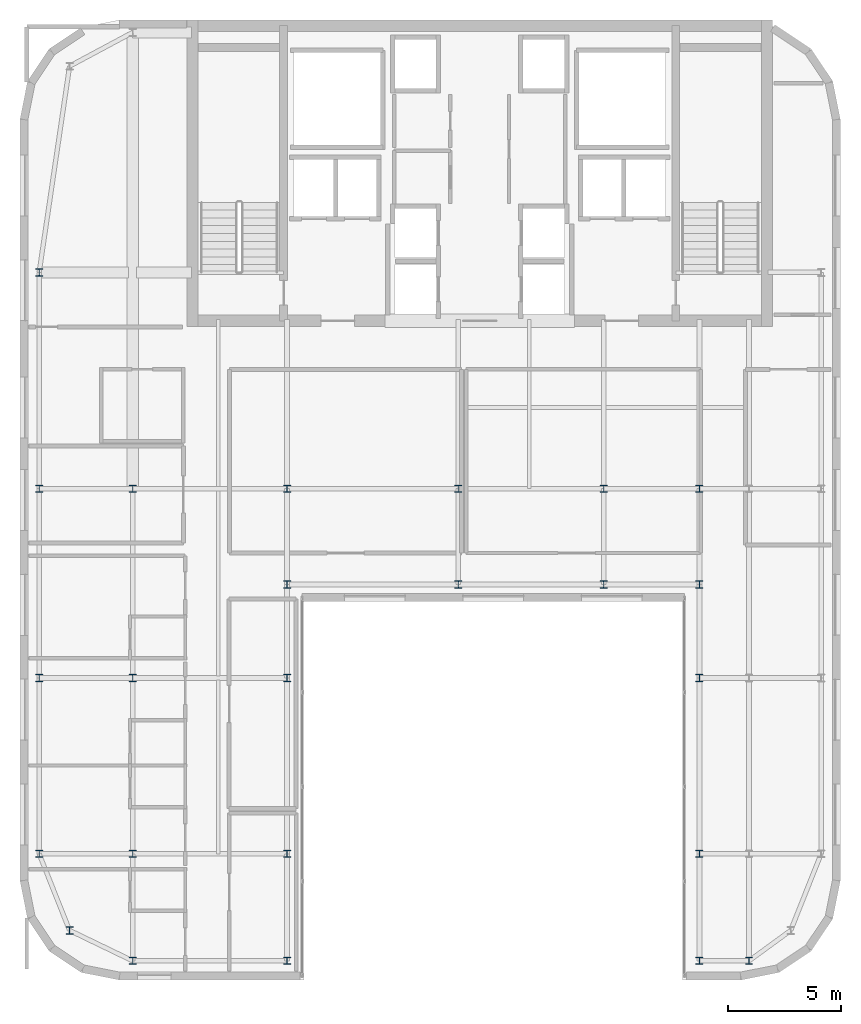
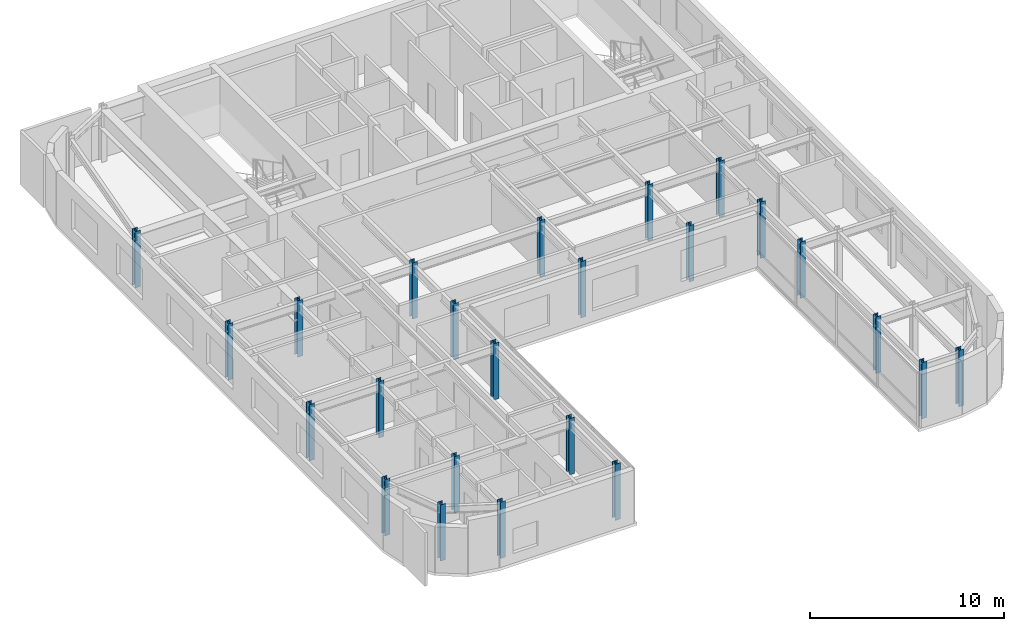
# One storey, part 1 of 18: 24 columns.
"""IFC4 building model written with IfcOpenShell, lengths in metres."""

import ifcopenshell
import ifcopenshell.guid

model = None  # the IFC model being written
_history = None  # IfcOwnerHistory: only IFC2X3 demands one
_inside = {}  # id of a spatial element -> (the spatial element, [elements in it])
_under = {}  # id of a project, library or spatial element -> (it, [spatial elements below it])
_declared = {}  # id of a project -> (the project, [libraries it declares])
_typed = {}  # id of a type object -> (the type object, [elements of that type])
_made_of = {}  # id of a material, layer set ... -> (it, [elements and type objects made of it])


def new_model(schema):
    """Start an empty IFC model of exactly this schema.

    Asked for "IFC4X3", IfcOpenShell would pick the latest addendum, in which some entities
    have other attributes; the version numbers below select the first issue.
    IFC2X3 requires an IfcOwnerHistory on every rooted entity: one is made here for all.
    """
    global model, _history
    if schema == "IFC4X3":
        model = ifcopenshell.file(schema_version=(4, 3, 0, 0))
    else:
        model = ifcopenshell.file(schema=schema)
    _inside.clear()
    _under.clear()
    _declared.clear()
    _typed.clear()
    _made_of.clear()
    _history = None
    if model.schema == "IFC2X3":
        org = make("IfcOrganization", Name="unknown")
        user = make(
            "IfcPersonAndOrganization",
            ThePerson=make("IfcPerson", FamilyName="unknown"),
            TheOrganization=org,
        )
        app = make(
            "IfcApplication",
            ApplicationDeveloper=org,
            Version="unknown",
            ApplicationFullName="unknown",
            ApplicationIdentifier="unknown",
        )
        _history = make(
            "IfcOwnerHistory",
            OwningUser=user,
            OwningApplication=app,
            ChangeAction="ADDED",
            CreationDate=0,
        )
    return model


def make(cls, **values):
    """One entity of the class cls with the attributes given. An attribute that is None is left unset."""
    return model.create_entity(
        cls, **{name: value for name, value in values.items() if value is not None}
    )


def rooted(cls, **values):
    """An entity with a GlobalId (a new one), such as an element, a storey or a relation."""
    return make(cls, GlobalId=ifcopenshell.guid.new(), OwnerHistory=_history, **values)


def si_unit(unit_type, name, prefix=None):
    """IfcSIUnit, for example si_unit("LENGTHUNIT", "METRE", prefix="MILLI")."""
    return make("IfcSIUnit", UnitType=unit_type, Prefix=prefix, Name=name)


def assignment(units):
    """IfcUnitAssignment: the units of a project."""
    return None if units is None else make("IfcUnitAssignment", Units=units)


def point(xyz):
    """IfcCartesianPoint."""
    return None if xyz is None else make("IfcCartesianPoint", Coordinates=xyz)


def direction(xyz):
    """IfcDirection."""
    return None if xyz is None else make("IfcDirection", DirectionRatios=xyz)


def frame(location, z_axis=None, x_axis=None):
    """IfcAxis2Placement3D, a coordinate frame: its origin and axes. An axis left out is left unset."""
    return make(
        "IfcAxis2Placement3D",
        Location=point(location),
        Axis=direction(z_axis),
        RefDirection=direction(x_axis),
    )


def frame_2d(location, x_axis=None):
    """IfcAxis2Placement2D, a coordinate frame in the plane: its origin and x axis."""
    return make(
        "IfcAxis2Placement2D", Location=point(location), RefDirection=direction(x_axis)
    )


def origin():
    """The frame at (0, 0, 0) with its axes left unset."""
    return frame((0.0, 0.0, 0.0))


def origin_2d():
    """The frame at (0, 0) in the plane with its x axis left unset."""
    return frame_2d((0.0, 0.0))


def place(relative_to, where):
    """IfcLocalPlacement: puts the frame where relative to a parent placement (None: the world)."""
    return make(
        "IfcLocalPlacement", PlacementRelTo=relative_to, RelativePlacement=where
    )


def context(
    kind, dimensions, precision=None, world=None, true_north=None, identifier=None
):
    """IfcGeometricRepresentationContext, for example the 3D "Model" context."""
    return make(
        "IfcGeometricRepresentationContext",
        ContextIdentifier=identifier,
        ContextType=kind,
        CoordinateSpaceDimension=dimensions,
        Precision=precision,
        WorldCoordinateSystem=world,
        TrueNorth=true_north,
    )


def subcontext(parent, identifier, kind, view, scale=None):
    """IfcGeometricRepresentationSubContext, for example "Body" below "Model"."""
    return make(
        "IfcGeometricRepresentationSubContext",
        ContextIdentifier=identifier,
        ContextType=kind,
        ParentContext=parent,
        TargetScale=scale,
        TargetView=view,
    )


def project(units=None, contexts=None):
    """IfcProject with its units and contexts."""
    return rooted(
        "IfcProject",
        Name="project",
        RepresentationContexts=contexts,
        UnitsInContext=assignment(units),
    )


def spatial(cls, under=None, at=None, **own):
    """A site, building, storey or space (cls), placed at a placement, below another one or the project."""
    s = rooted(cls, ObjectPlacement=at, **own)
    if under is not None:
        _under.setdefault(under.id(), (under, []))[1].append(s)
    return s


def profile(cls, at=None, kind="AREA", **sizes):
    """A parametric profile (cls). Its sizes go by their IFC names, for example OverallWidth=200.0."""
    return make(cls, ProfileType=kind, Position=at, **sizes)


def i_section(**sizes):
    """IfcIShapeProfileDef."""
    return profile("IfcIShapeProfileDef", **sizes)


def extrude(swept, where, along, depth):
    """IfcExtrudedAreaSolid: the profile swept, set in the frame where, extruded along a direction by depth."""
    return make(
        "IfcExtrudedAreaSolid",
        SweptArea=swept,
        Position=where,
        ExtrudedDirection=direction(along),
        Depth=depth,
    )


def shape(context_of_items, identifier, shape_type, items):
    """IfcShapeRepresentation: the items that make up one representation, for example the "Body"."""
    return make(
        "IfcShapeRepresentation",
        ContextOfItems=context_of_items,
        RepresentationIdentifier=identifier,
        RepresentationType=shape_type,
        Items=items,
    )


def source(mapping_origin, context_of_items, identifier, shape_type, items):
    """IfcRepresentationMap: a shape defined once, which mapped items show again and again."""
    return make(
        "IfcRepresentationMap",
        MappingOrigin=mapping_origin,
        MappedRepresentation=shape(context_of_items, identifier, shape_type, items),
    )


def transform(
    local_origin,
    x_axis=None,
    y_axis=None,
    z_axis=None,
    scale=None,
    scale2=None,
    scale3=None,
    uniform=True,
):
    """IfcCartesianTransformationOperator3D, or its non-uniform kind. x_axis, y_axis, z_axis: its Axis1, 2, 3."""
    if uniform:
        return make(
            "IfcCartesianTransformationOperator3D",
            Axis1=direction(x_axis),
            Axis2=direction(y_axis),
            LocalOrigin=point(local_origin),
            Scale=scale,
            Axis3=direction(z_axis),
        )
    return make(
        "IfcCartesianTransformationOperator3DnonUniform",
        Axis1=direction(x_axis),
        Axis2=direction(y_axis),
        LocalOrigin=point(local_origin),
        Scale=scale,
        Axis3=direction(z_axis),
        Scale2=scale2,
        Scale3=scale3,
    )


def mapped(mapping_source, mapping_target):
    """IfcMappedItem: shows the shape of a source again, moved by a transform."""
    return make(
        "IfcMappedItem", MappingSource=mapping_source, MappingTarget=mapping_target
    )


def material(Name=None, Category=None):
    """IfcMaterial."""
    return make("IfcMaterial", Name=Name, Category=Category)


def material_profile(
    of_material, cross_section, Name=None, Category=None, Priority=None
):
    """IfcMaterialProfile: a cross section and its material."""
    return make(
        "IfcMaterialProfile",
        Name=Name,
        Material=of_material,
        Profile=cross_section,
        Priority=Priority,
        Category=Category,
    )


def profile_set(profiles, Name=None, composite=None):
    """IfcMaterialProfileSet."""
    return make(
        "IfcMaterialProfileSet",
        Name=Name,
        MaterialProfiles=profiles,
        CompositeProfile=composite,
    )


def made_of(thing, what):
    """Note that an element or type object is made of a material, layer set ...; save() writes the relation."""
    if what is not None:
        _made_of.setdefault(what.id(), (what, []))[1].append(thing)
    return thing


def type_object(cls, material=None, **own):
    """A type object (cls), such as IfcWallType, which elements share."""
    return made_of(rooted(cls, **own), material)


def type_shapes(of_type, sources):
    """Give a type object the sources (RepresentationMaps) that its elements show as mapped items."""
    of_type.RepresentationMaps = sources


def element(
    cls,
    number,
    at=None,
    inside=None,
    cuts=None,
    type_object=None,
    material=None,
    context=None,
    identifier="Body",
    shape_type=None,
    held_by="IfcProductDefinitionShape",
    body=None,
    shapes=None,
    **own,
):
    """One element of the class cls, such as IfcWall. Its Tag is "e" and its number.

    at: its placement. inside: the storey or other place that contains it. cuts: it is an
    opening in that element (IfcRelVoidsElement). A single representation is given by context,
    identifier, shape_type and body (its items); several are given by shapes. held_by: the class
    of the entity that holds the representations. save() writes the other relations.
    """
    e = rooted(cls, Tag="e%d" % number, ObjectPlacement=at, **own)
    if body is not None:
        shapes = [shape(context, identifier, shape_type, body)]
    if shapes is not None:
        e.Representation = make(held_by, Representations=shapes)
    if inside is not None:
        _inside.setdefault(inside.id(), (inside, []))[1].append(e)
    if cuts is not None:
        rooted(
            "IfcRelVoidsElement", RelatingBuildingElement=cuts, RelatedOpeningElement=e
        )
    if type_object is not None:
        _typed.setdefault(type_object.id(), (type_object, []))[1].append(e)
    return made_of(e, material)


def aggregate(whole, parts):
    """IfcRelAggregates: a whole, such as a stair, and the parts it consists of."""
    return rooted("IfcRelAggregates", RelatingObject=whole, RelatedObjects=parts)


def save(model, path):
    """Write the relations noted so far, then the file.

    IfcRelAggregates (storeys below a building ...), IfcRelContainedInSpatialStructure (elements
    in a storey), IfcRelDefinesByType, IfcRelAssociatesMaterial and IfcRelDeclares: one each for
    every whole, place, type object, material and project.
    """
    for whole, parts in _under.values():
        aggregate(whole, parts)
    for where, things in _inside.values():
        rooted(
            "IfcRelContainedInSpatialStructure",
            RelatedElements=things,
            RelatingStructure=where,
        )
    for kind, things in _typed.values():
        rooted("IfcRelDefinesByType", RelatedObjects=things, RelatingType=kind)
    for what, things in _made_of.values():
        rooted("IfcRelAssociatesMaterial", RelatedObjects=things, RelatingMaterial=what)
    for by, libraries in _declared.values():
        rooted("IfcRelDeclares", RelatingContext=by, RelatedDefinitions=libraries)
    model.write(path)


model = new_model("IFC4")

# Units and contexts
model_context = context("Model", 3, precision=1e-05, world=origin(), true_north=direction((0.0, 1.0)))
body_context = subcontext(model_context, "Body", "Model", "MODEL_VIEW")
ifc_project = project(units=[si_unit("LENGTHUNIT", "METRE"), si_unit("AREAUNIT", "SQUARE_METRE"), si_unit("VOLUMEUNIT", "CUBIC_METRE"), si_unit("PLANEANGLEUNIT", "RADIAN"), si_unit("MASSUNIT", "GRAM", prefix="KILO")], contexts=[model_context])

# Site, building, storey
site_placement = place(None, origin())
site = spatial("IfcSite", under=ifc_project, at=site_placement, CompositionType="ELEMENT")
building_placement = place(site_placement, origin())
building = spatial("IfcBuilding", under=site, at=building_placement, Name="Tolvann Quenvar Hotel", CompositionType="ELEMENT")
storey_placement = place(building_placement, frame((0.0, 0.0, 245.199951171875)))
storey = spatial("IfcBuildingStorey", under=building, at=storey_placement, Name="L65", CompositionType="ELEMENT", Elevation=245.199951171875)

# Columns
ifc_material = material(Name="Steel Grade 350", Category="steel")
ifc_material_profile_1 = material_profile(ifc_material, i_section(OverallWidth=0.30908203125, OverallDepth=0.321044921875, WebThickness=0.013916015625, FlangeThickness=0.021728515625, FilletRadius=0.0166015625, at=origin_2d()), Name="310UC137")
ifc_profile_set_1 = profile_set([ifc_material_profile_1], Name="Steel Grade 350")
column_type_1 = type_object("IfcColumnType", Name="COL_310UC137", PredefinedType="COLUMN", material=ifc_profile_set_1)
shared_shape_1 = source(origin(), body_context, "Body", "SweptSolid", [
    extrude(i_section(OverallWidth=0.30908203125, OverallDepth=0.321044921875, WebThickness=0.013916015625, FlangeThickness=0.021728515625, FilletRadius=0.0166015625, at=origin_2d()), origin(), (0.0, 0.0, 1.0), 3.550048828125),
])
type_shapes(column_type_1, [shared_shape_1])
for number, where, z_axis, x_axis, name in (
    (1, (4.800048828125, 4.800048828125, 0.0), (0.0, 0.0, 1.0), (1.0, 0.0, 0.0), "Column B2 (L65)"),
    (2, (3.449951171875, 8.199951171875, 0.0), (0.0, 0.0, 1.0), (1.0, 0.0, 0.0), "Column B3 (L65)"),
    (3, (3.449951171875, 16.0, 0.0), (0.0, 0.0, 1.0), (1.0, 0.0, 0.0), "Column B4 (L65)"),
    (4, (7.60009765625, 3.449951171875, 0.0), (0.0, 0.0, 1.0), (1.0, 0.0, 0.0), "Column C2 (L65)"),
    (5, (14.449951171875, 3.449951171875, 0.0), (0.0, 0.0, 1.0), (1.0, 0.0, 0.0), "Column D2 (L65)"),
    (6, (14.449951171875, 8.199951171875, 0.0), (0.0, 0.0, 1.0), (1.0, 0.0, 0.0), "Column D3 (L65)"),
    (7, (14.449951171875, 16.0, 0.0), (0.0, 0.0, 1.0), (1.0, 0.0, 0.0), "Column D4 (L65)"),
    (8, (32.75, 3.449951171875, 0.0), (0.0, 0.0, 1.0), (1.0, 0.0, 0.0), "Column FP2 (L65)"),
    (9, (32.75, 8.199951171875, 0.0), (0.0, 0.0, 1.0), (1.0, 0.0, 0.0), "Column FP3 (L65)"),
    (10, (32.75, 16.0, 0.0), (0.0, 0.0, 1.0), (1.0, 0.0, 0.0), "Column FP4 (L65)"),
    (11, (34.949951171875, 3.449951171875, 0.0), (0.0, 0.0, 1.0), (1.0, 0.0, 0.0), "Column F2 (L65)"),
    (12, (3.449951171875, 24.39990234375, 0.0), (0.0, 0.0, 1.0), (1.0, 0.0, 0.0), "Column B5 (L65)"),
    (13, (14.449951171875, 20.14990234375, 0.0), (0.0, 0.0, 1.0), (1.0, 0.0, 0.0), "Column D4P (L65)"),
    (14, (22.050048828125, 20.14990234375, 0.0), (0.0, 0.0, 1.0), (1.0, 0.0, 0.0), "Column E4P (L65)"),
    (15, (28.5, 20.14990234375, 0.0), (0.0, 0.0, 1.0), (1.0, 0.0, 0.0), "Column M4P (L65)"),
    (16, (32.75, 20.14990234375, 0.0), (0.0, 0.0, 1.0), (1.0, 0.0, 0.0), "Column FP4P (L65)"),
    (17, (3.449951171875, 34.0, 0.0), (0.0, 0.0, 1.0), (1.0, 0.0, 0.0), "Column BD6 (L65)"),
):
    element("IfcColumn", number, at=place(storey_placement, frame(where, z_axis=z_axis, x_axis=x_axis)), inside=storey, type_object=column_type_1, Name=name, PredefinedType="COLUMN", context=body_context, shape_type="MappedRepresentation", body=[
        mapped(shared_shape_1, transform((0.0, 0.0, 0.0), x_axis=(1.0, 0.0, 0.0), y_axis=(0.0, 1.0, 0.0), z_axis=(0.0, 0.0, 1.0), scale=1.0)),
    ])
ifc_material_profile_2 = material_profile(ifc_material, i_section(OverallWidth=0.306884765625, OverallDepth=0.31494140625, WebThickness=0.011962890625, FlangeThickness=0.018798828125, FilletRadius=0.0166015625, at=origin_2d()), Name="310UC118")
ifc_profile_set_2 = profile_set([ifc_material_profile_2], Name="Steel Grade 350")
column_type_2 = type_object("IfcColumnType", Name="COL_310UC118", PredefinedType="COLUMN", material=ifc_profile_set_2)
shared_shape_2 = source(origin(), body_context, "Body", "SweptSolid", [
    extrude(i_section(OverallWidth=0.306884765625, OverallDepth=0.31494140625, WebThickness=0.011962890625, FlangeThickness=0.018798828125, FilletRadius=0.0166015625, at=origin_2d()), origin(), (0.0, 0.0, 1.0), 3.550048828125),
])
type_shapes(column_type_2, [shared_shape_2])
for number, where, z_axis, x_axis, name in (
    (18, (7.60009765625, 8.199951171875, 0.0), (0.0, 0.0, 1.0), (1.0, 0.0, 0.0), "Column C3 (L65)"),
    (19, (7.60009765625, 16.0, 0.0), (0.0, 0.0, 1.0), (1.0, 0.0, 0.0), "Column C4 (L65)"),
    (20, (7.60009765625, 24.39990234375, 0.0), (0.0, 0.0, 1.0), (1.0, 0.0, 0.0), "Column C5 (L65)"),
    (21, (14.449951171875, 24.39990234375, 0.0), (0.0, 0.0, 1.0), (1.0, 0.0, 0.0), "Column D5 (L65)"),
    (22, (22.050048828125, 24.39990234375, 0.0), (0.0, 0.0, 1.0), (1.0, 0.0, 0.0), "Column E5 (L65)"),
    (23, (28.5, 24.39990234375, 0.0), (0.0, 0.0, 1.0), (1.0, 0.0, 0.0), "Column M5 (L65)"),
    (24, (32.75, 24.39990234375, 0.0), (0.0, 0.0, 1.0), (1.0, 0.0, 0.0), "Column FP5 (L65)"),
):
    element("IfcColumn", number, at=place(storey_placement, frame(where, z_axis=z_axis, x_axis=x_axis)), inside=storey, type_object=column_type_2, Name=name, PredefinedType="COLUMN", context=body_context, shape_type="MappedRepresentation", body=[
        mapped(shared_shape_2, transform((0.0, 0.0, 0.0), x_axis=(1.0, 0.0, 0.0), y_axis=(0.0, 1.0, 0.0), z_axis=(0.0, 0.0, 1.0), scale=1.0)),
    ])

save(model, "model.ifc")
